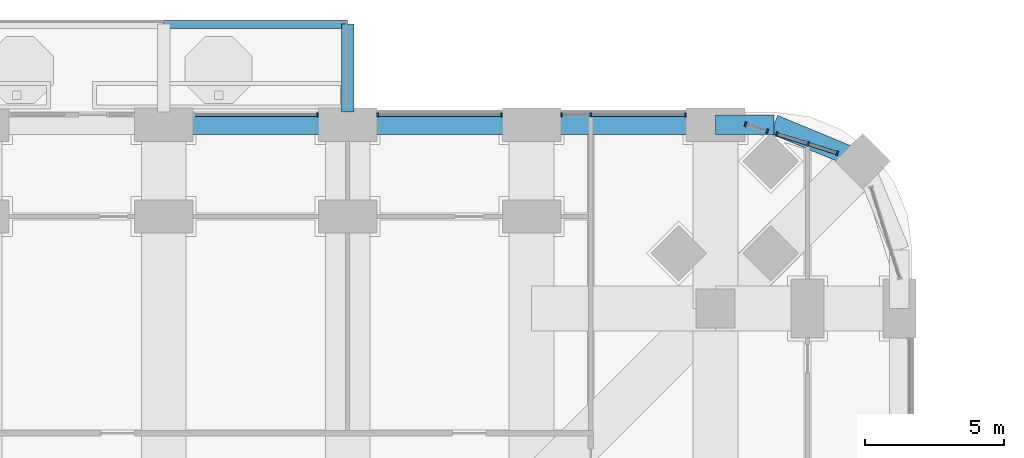
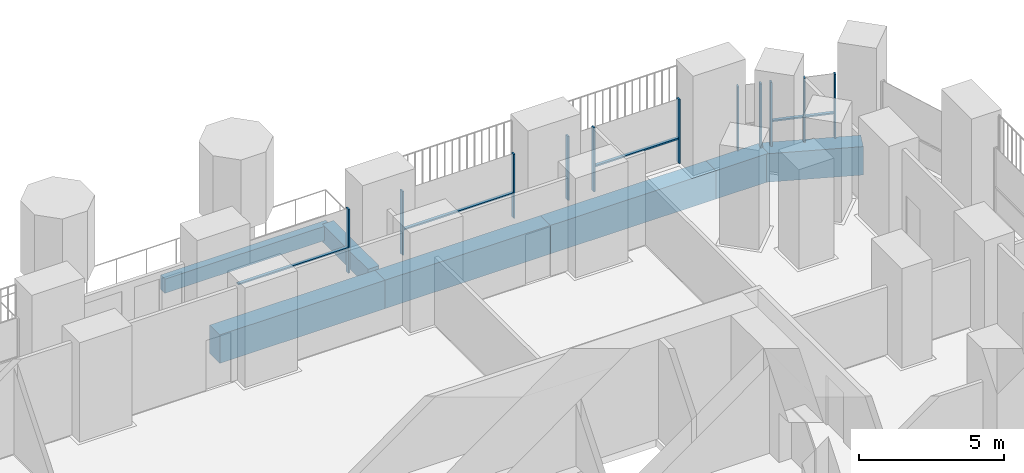
# One storey, part 9 of 26: 16 members, 7 beams, 5 elements without a shape of their own.
"""IFC4 building model written with IfcOpenShell, lengths in metres."""

from ifc_helpers import new_model, si_unit, direction, frame, origin, origin_2d, place, context, subcontext, project, spatial, rectangle, extrude, material, material_profile, profile_set, type_object, element, aggregate, save


model = new_model("IFC4")

# Units and contexts
model_context = context("Model", 3, precision=1e-05, world=origin(), true_north=direction((0.0, 1.0)))
body_context = subcontext(model_context, "Body", "Model", "MODEL_VIEW")
ifc_project = project(units=[si_unit("LENGTHUNIT", "METRE"), si_unit("AREAUNIT", "SQUARE_METRE"), si_unit("VOLUMEUNIT", "CUBIC_METRE"), si_unit("PLANEANGLEUNIT", "RADIAN"), si_unit("MASSUNIT", "GRAM", prefix="KILO")], contexts=[model_context])

# Site, building, storey
site_placement = place(None, origin())
site = spatial("IfcSite", under=ifc_project, at=site_placement, CompositionType="ELEMENT")
building_placement = place(site_placement, origin())
building = spatial("IfcBuilding", under=site, at=building_placement, Name="Cobogo Forest Laboratory Tower", CompositionType="ELEMENT")
storey_placement = place(building_placement, frame((0.0, 0.0, 59.10009765625)))
storey = spatial("IfcBuildingStorey", under=building, at=storey_placement, Name="L13", CompositionType="ELEMENT", Elevation=59.10009765625)

# Beams
ifc_material_1 = material(Name="Concrete HA-40 (C40/50)", Category="concrete")
ifc_material_profile_1 = material_profile(ifc_material_1, rectangle(XDim=0.449951171875, YDim=0.75, at=origin_2d()), Name="RC 450x750")
ifc_profile_set_1 = profile_set([ifc_material_profile_1], Name="Concrete HA-40 (C40/50)")
beam_type_1 = type_object("IfcBeamType", Name="Balcony cantilever beam 450x750", PredefinedType="BEAM", material=ifc_profile_set_1)
beam_1_placement = place(storey_placement, frame((33.0, 46.64990234375, -0.625), z_axis=(0.0, 1.0, 0.0), x_axis=(-1.0, 0.0, 0.0)))
element("IfcBeam", 1, at=beam_1_placement, inside=storey, type_object=beam_type_1, Name="CB1 BAL-N1-C3 L13", PredefinedType="BEAM", context=body_context, shape_type="SweptSolid", body=[
    extrude(rectangle(XDim=0.449951171875, YDim=0.75, at=origin_2d()), origin(), (0.0, 0.0, 1.0), 3.150146484375),
])
ifc_material_profile_2 = material_profile(ifc_material_1, rectangle(XDim=0.300048828125, YDim=0.60009765625, at=origin_2d()), Name="RC 300x600")
ifc_profile_set_2 = profile_set([ifc_material_profile_2], Name="Concrete HA-40 (C40/50)")
beam_type_2 = type_object("IfcBeamType", Name="Balcony edge beam 300x600", PredefinedType="BEAM", material=ifc_profile_set_2)
beam_2_placement = place(storey_placement, frame((26.39990234375, 49.800048828125, -0.550048828125), z_axis=(1.0, 0.0, 0.0), x_axis=(0.0, 1.0, 0.0)))
element("IfcBeam", 2, at=beam_2_placement, inside=storey, type_object=beam_type_2, Name="BB1 BAL-N1-T2 L13", PredefinedType="BEAM", context=body_context, shape_type="SweptSolid", body=[
    extrude(rectangle(XDim=0.300048828125, YDim=0.60009765625, at=origin_2d()), origin(), (0.0, 0.0, 1.0), 6.60009765625),
])

# Curtain wall, members
ifc_material_2 = material(Name="Aluminium curtain wall", Category="aluminium")
curtain_wall_type = type_object("IfcCurtainWallType", Name="CW-1 unitised curtain wall, clear glazing, laboratory floors zones A and B", PredefinedType="USERDEFINED", material=ifc_material_2)
curtain_wall_1_placement = place(storey_placement, origin())
curtain_wall_1 = element("IfcCurtainWall", 3, at=curtain_wall_1_placement, inside=storey, type_object=curtain_wall_type, Name="Curtain wall 16 L13", ObjectType="UNITISED CURTAIN WALL", PredefinedType="USERDEFINED")
ifc_material_3 = material(Name="Aluminium mullion", Category="aluminium")
ifc_material_profile_3 = material_profile(ifc_material_3, rectangle(XDim=0.06005859375, YDim=0.159912109375, at=origin_2d()), Name="AL 60x160")
ifc_profile_set_3 = profile_set([ifc_material_profile_3], Name="Aluminium mullion")
member_type_1 = type_object("IfcMemberType", Name="MU-1 aluminium mullion 60x160", PredefinedType="MULLION", material=ifc_profile_set_3)
member_1_placement = place(storey_placement, frame((50.561279296875, 45.1728515625, 0.0), z_axis=(0.0, 0.0, 1.0), x_axis=(-0.953581409645, 0.301135343623, 0.0)))
member_1 = element("IfcMember", 4, at=member_1_placement, type_object=member_type_1, Name="CW-1 mullion 1", PredefinedType="MULLION", context=body_context, shape_type="SweptSolid", body=[
    extrude(rectangle(XDim=0.06005859375, YDim=0.159912109375, at=origin_2d()), origin(), (0.0, 0.0, 1.0), 2.699951171875),
])
member_2_placement = place(storey_placement, frame((49.524169921875, 45.500244140625, 0.0), z_axis=(0.0, 0.0, 1.0), x_axis=(-0.953581409645, 0.301135343623, 0.0)))
member_2 = element("IfcMember", 5, at=member_2_placement, type_object=member_type_1, Name="CW-1 mullion 2", PredefinedType="MULLION", context=body_context, shape_type="SweptSolid", body=[
    extrude(rectangle(XDim=0.06005859375, YDim=0.159912109375, at=origin_2d()), origin(), (0.0, 0.0, 1.0), 2.699951171875),
])
member_3_placement = place(storey_placement, frame((48.403076171875, 45.854248046875, 0.0), z_axis=(0.0, 0.0, 1.0), x_axis=(-0.953581409645, 0.301135343623, 0.0)))
member_3 = element("IfcMember", 6, at=member_3_placement, type_object=member_type_1, Name="CW-1 mullion 3", PredefinedType="MULLION", context=body_context, shape_type="SweptSolid", body=[
    extrude(rectangle(XDim=0.06005859375, YDim=0.159912109375, at=origin_2d()), origin(), (0.0, 0.0, 1.0), 2.699951171875),
])

curtain_wall_2_placement = place(storey_placement, origin())
curtain_wall_2 = element("IfcCurtainWall", 7, at=curtain_wall_2_placement, inside=storey, type_object=curtain_wall_type, Name="Curtain wall 17 L13", ObjectType="UNITISED CURTAIN WALL", PredefinedType="USERDEFINED")
member_4_placement = place(storey_placement, frame((48.05322265625, 45.96484375, 0.0), z_axis=(0.0, 0.0, 1.0), x_axis=(-0.953581504428, 0.301135043481, 0.0)))
member_4 = element("IfcMember", 8, at=member_4_placement, type_object=member_type_1, Name="CW-1 mullion 1", PredefinedType="MULLION", context=body_context, shape_type="SweptSolid", body=[
    extrude(rectangle(XDim=0.06005859375, YDim=0.159912109375, at=origin_2d()), origin(), (0.0, 0.0, 1.0), 2.699951171875),
])
member_5_placement = place(storey_placement, frame((47.278564453125, 46.20947265625, 0.0), z_axis=(0.0, 0.0, 1.0), x_axis=(-0.953581504428, 0.301135043481, 0.0)))
member_5 = element("IfcMember", 9, at=member_5_placement, type_object=member_type_1, Name="CW-1 mullion 2", PredefinedType="MULLION", context=body_context, shape_type="SweptSolid", body=[
    extrude(rectangle(XDim=0.06005859375, YDim=0.159912109375, at=origin_2d()), origin(), (0.0, 0.0, 1.0), 2.699951171875),
])
aggregate(curtain_wall_2, [member_4, member_5])

curtain_wall_3_placement = place(storey_placement, origin())
curtain_wall_3 = element("IfcCurtainWall", 10, at=curtain_wall_3_placement, inside=storey, type_object=curtain_wall_type, Name="Curtain wall 18 L13", ObjectType="UNITISED CURTAIN WALL", PredefinedType="USERDEFINED")
member_6_placement = place(storey_placement, frame((45.1201171875, 46.550048828125, 0.0), z_axis=(0.0, 0.0, 1.0), x_axis=(-1.0, 0.0, 0.0)))
member_6 = element("IfcMember", 11, at=member_6_placement, type_object=member_type_1, Name="CW-1 mullion 1", PredefinedType="MULLION", context=body_context, shape_type="SweptSolid", body=[
    extrude(rectangle(XDim=0.06005859375, YDim=0.159912109375, at=origin_2d()), origin(), (0.0, 0.0, 1.0), 2.699951171875),
])
member_7_placement = place(storey_placement, frame((41.72509765625, 46.550048828125, 0.0), z_axis=(0.0, 0.0, 1.0), x_axis=(-1.0, 0.0, 0.0)))
member_7 = element("IfcMember", 12, at=member_7_placement, type_object=member_type_1, Name="CW-1 mullion 2", PredefinedType="MULLION", context=body_context, shape_type="SweptSolid", body=[
    extrude(rectangle(XDim=0.06005859375, YDim=0.159912109375, at=origin_2d()), origin(), (0.0, 0.0, 1.0), 2.699951171875),
])
member_8_placement = place(storey_placement, frame((40.679931640625, 46.550048828125, 0.0), z_axis=(0.0, 0.0, 1.0), x_axis=(-1.0, 0.0, 0.0)))
member_8 = element("IfcMember", 13, at=member_8_placement, type_object=member_type_1, Name="CW-1 mullion 3", PredefinedType="MULLION", context=body_context, shape_type="SweptSolid", body=[
    extrude(rectangle(XDim=0.06005859375, YDim=0.159912109375, at=origin_2d()), origin(), (0.0, 0.0, 1.0), 2.699951171875),
])

curtain_wall_4_placement = place(storey_placement, origin())
curtain_wall_4 = element("IfcCurtainWall", 14, at=curtain_wall_4_placement, inside=storey, type_object=curtain_wall_type, Name="Curtain wall 19 L13", ObjectType="UNITISED CURTAIN WALL", PredefinedType="USERDEFINED")
member_9_placement = place(storey_placement, frame((38.52001953125, 46.550048828125, 0.0), z_axis=(0.0, 0.0, 1.0), x_axis=(-1.0, 0.0, 0.0)))
member_9 = element("IfcMember", 15, at=member_9_placement, type_object=member_type_1, Name="CW-1 mullion 1", PredefinedType="MULLION", context=body_context, shape_type="SweptSolid", body=[
    extrude(rectangle(XDim=0.06005859375, YDim=0.159912109375, at=origin_2d()), origin(), (0.0, 0.0, 1.0), 2.699951171875),
])
member_10_placement = place(storey_placement, frame((34.080078125, 46.550048828125, 0.0), z_axis=(0.0, 0.0, 1.0), x_axis=(-1.0, 0.0, 0.0)))
member_10 = element("IfcMember", 16, at=member_10_placement, type_object=member_type_1, Name="CW-1 mullion 2", PredefinedType="MULLION", context=body_context, shape_type="SweptSolid", body=[
    extrude(rectangle(XDim=0.06005859375, YDim=0.159912109375, at=origin_2d()), origin(), (0.0, 0.0, 1.0), 2.699951171875),
])

# Curtain wall, member
curtain_wall_5_placement = place(storey_placement, origin())
curtain_wall_5 = element("IfcCurtainWall", 17, at=curtain_wall_5_placement, inside=storey, type_object=curtain_wall_type, Name="Curtain wall 20 L13", ObjectType="UNITISED CURTAIN WALL", PredefinedType="USERDEFINED")
member_11_placement = place(storey_placement, frame((31.919921875, 46.550048828125, 0.0), z_axis=(0.0, 0.0, 1.0), x_axis=(-1.0, 0.0, 0.0)))
member_11 = element("IfcMember", 18, at=member_11_placement, type_object=member_type_1, Name="CW-1 mullion 1", PredefinedType="MULLION", context=body_context, shape_type="SweptSolid", body=[
    extrude(rectangle(XDim=0.06005859375, YDim=0.159912109375, at=origin_2d()), origin(), (0.0, 0.0, 1.0), 2.699951171875),
])

# Beams
ifc_material_profile_4 = material_profile(ifc_material_1, rectangle(XDim=0.699951171875, YDim=1.199951171875, at=origin_2d()), Name="RC 700x1200")
ifc_profile_set_4 = profile_set([ifc_material_profile_4], Name="Concrete HA-40 (C40/50)")
beam_type_3 = type_object("IfcBeamType", Name="Perimeter edge beam 700x1200", PredefinedType="BEAM", material=ifc_profile_set_4)
for number, where, z_axis, x_axis, name in (
    (19, (26.39990234375, 46.199951171875, -0.900146484375), (1.0, 0.0, 0.0), (0.0, 1.0, 0.0), "EB1 E-N4 L13"),
    (20, (33.0, 46.199951171875, -0.900146484375), (1.0, 0.0, 0.0), (0.0, 1.0, 0.0), "EB1 E-N5 L13"),
):
    element("IfcBeam", number, at=place(storey_placement, frame(where, z_axis=z_axis, x_axis=x_axis)), inside=storey, type_object=beam_type_3, Name=name, PredefinedType="BEAM", context=body_context, shape_type="SweptSolid", body=[
        extrude(rectangle(XDim=0.699951171875, YDim=1.199951171875, at=origin_2d()), origin(), (0.0, 0.0, 1.0), 6.60009765625),
    ])
beam_3_placement = place(storey_placement, frame((39.60009765625, 46.199951171875, -0.900146484375), z_axis=(1.0, 0.0, 0.0), x_axis=(0.0, 1.0, 0.0)))
element("IfcBeam", 21, at=beam_3_placement, inside=storey, type_object=beam_type_3, Name="EB1 E-N6 L13", PredefinedType="BEAM", context=body_context, shape_type="SweptSolid", body=[
    extrude(rectangle(XDim=0.699951171875, YDim=1.199951171875, at=origin_2d()), origin(), (0.0, 0.0, 1.0), 6.599853515625),
])
beam_4_placement = place(storey_placement, frame((46.199951171875, 46.199951171875, -0.900146484375), z_axis=(1.0, 0.0, 0.0), x_axis=(0.0, 1.0, 0.0)))
element("IfcBeam", 22, at=beam_4_placement, inside=storey, type_object=beam_type_3, Name="EB1 E-NEN1 L13", PredefinedType="BEAM", context=body_context, shape_type="SweptSolid", body=[
    extrude(rectangle(XDim=0.699951171875, YDim=1.199951171875, at=origin_2d()), origin(), (0.0, 0.0, 1.0), 2.10009765625),
])
beam_5_placement = place(storey_placement, frame((48.300048828125, 46.199951171875, -0.900146484375), z_axis=(0.923890694089, -0.382656484822, 0.0), x_axis=(0.382656484822, 0.923890694089, 0.0)))
element("IfcBeam", 23, at=beam_5_placement, inside=storey, type_object=beam_type_3, Name="EB1 E-NEN2 L13", PredefinedType="BEAM", context=body_context, shape_type="SweptSolid", body=[
    extrude(rectangle(XDim=0.699951171875, YDim=1.199951171875, at=origin_2d()), origin(), (0.0, 0.0, 1.0), 3.444091796875),
])

# Member
ifc_material_4 = material(Name="Aluminium transom", Category="aluminium")
ifc_material_profile_5 = material_profile(ifc_material_4, rectangle(XDim=0.1201171875, YDim=0.06005859375, at=origin_2d()), Name="AL 60x120")
ifc_profile_set_5 = profile_set([ifc_material_profile_5], Name="Aluminium transom")
member_type_2 = type_object("IfcMemberType", Name="TR-1 aluminium transom 60x120", PredefinedType="USERDEFINED", material=ifc_profile_set_5)
member_12_placement = place(storey_placement, frame((50.53271484375, 45.181884765625, 1.0498046875), z_axis=(-0.953622152866, 0.301006294888, 0.0), x_axis=(-0.301006294888, -0.953622152866, 0.0)))
member_12 = element("IfcMember", 24, at=member_12_placement, type_object=member_type_2, Name="CW-1 transom 1.1", ObjectType="TRANSOM", PredefinedType="USERDEFINED", context=body_context, shape_type="SweptSolid", body=[
    extrude(rectangle(XDim=0.1201171875, YDim=0.06005859375, at=origin_2d()), origin(), (0.0, 0.0, 1.0), 1.027587890625),
])

member_13_placement = place(storey_placement, frame((49.495361328125, 45.50927734375, 1.0498046875), z_axis=(-0.953576049467, 0.301152316747, 0.0), x_axis=(-0.301152316747, -0.953576049467, 0.0)))
member_13 = element("IfcMember", 25, at=member_13_placement, type_object=member_type_2, Name="CW-1 transom 2.1", ObjectType="TRANSOM", PredefinedType="USERDEFINED", context=body_context, shape_type="SweptSolid", body=[
    extrude(rectangle(XDim=0.1201171875, YDim=0.06005859375, at=origin_2d()), origin(), (0.0, 0.0, 1.0), 1.115478515625),
])

aggregate(curtain_wall_1, [member_1, member_2, member_3, member_12, member_13])

member_14_placement = place(storey_placement, frame((45.090087890625, 46.550048828125, 1.0498046875), z_axis=(-1.0, 0.0, 0.0), x_axis=(0.0, -1.0, 0.0)))
member_14 = element("IfcMember", 26, at=member_14_placement, type_object=member_type_2, Name="CW-1 transom 1.1", ObjectType="TRANSOM", PredefinedType="USERDEFINED", context=body_context, shape_type="SweptSolid", body=[
    extrude(rectangle(XDim=0.1201171875, YDim=0.06005859375, at=origin_2d()), origin(), (0.0, 0.0, 1.0), 3.335205078125),
])

aggregate(curtain_wall_3, [member_6, member_7, member_8, member_14])

member_15_placement = place(storey_placement, frame((38.489990234375, 46.550048828125, 1.0498046875), z_axis=(-1.0, 0.0, 0.0), x_axis=(0.0, -1.0, 0.0)))
member_15 = element("IfcMember", 27, at=member_15_placement, type_object=member_type_2, Name="CW-1 transom 1.1", ObjectType="TRANSOM", PredefinedType="USERDEFINED", context=body_context, shape_type="SweptSolid", body=[
    extrude(rectangle(XDim=0.1201171875, YDim=0.06005859375, at=origin_2d()), origin(), (0.0, 0.0, 1.0), 4.3798828125),
])

aggregate(curtain_wall_4, [member_9, member_10, member_15])

member_16_placement = place(storey_placement, frame((31.889892578125, 46.550048828125, 1.0498046875), z_axis=(-1.0, 0.0, 0.0), x_axis=(0.0, -1.0, 0.0)))
member_16 = element("IfcMember", 28, at=member_16_placement, type_object=member_type_2, Name="CW-1 transom 1.1", ObjectType="TRANSOM", PredefinedType="USERDEFINED", context=body_context, shape_type="SweptSolid", body=[
    extrude(rectangle(XDim=0.1201171875, YDim=0.06005859375, at=origin_2d()), origin(), (0.0, 0.0, 1.0), 4.3798828125),
])

aggregate(curtain_wall_5, [member_11, member_16])

save(model, "model.ifc")
